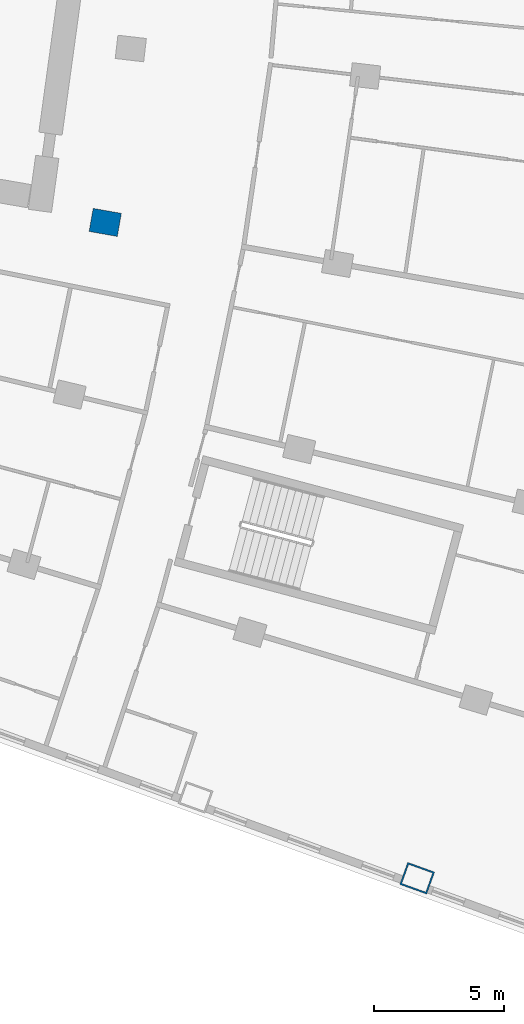
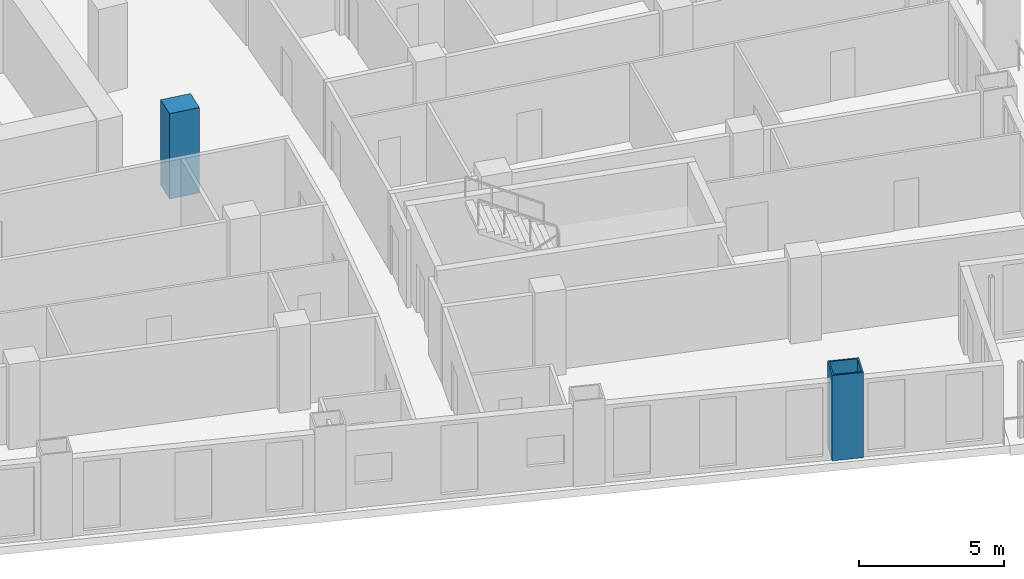
# One storey, part 4 of 25: 2 columns.
"""IFC4 building model written with IfcOpenShell, lengths in metres."""

from ifc_helpers import new_model, si_unit, direction, frame, origin, origin_2d, place, context, subcontext, project, spatial, rectangle, hollow_rectangle, extrude, material, material_profile, profile_set, type_object, element, save


model = new_model("IFC4")

# Units and contexts
model_context = context("Model", 3, precision=1e-05, world=origin(), true_north=direction((0.0, 1.0)))
body_context = subcontext(model_context, "Body", "Model", "MODEL_VIEW")
ifc_project = project(units=[si_unit("LENGTHUNIT", "METRE"), si_unit("AREAUNIT", "SQUARE_METRE"), si_unit("VOLUMEUNIT", "CUBIC_METRE"), si_unit("PLANEANGLEUNIT", "RADIAN"), si_unit("MASSUNIT", "GRAM", prefix="KILO")], contexts=[model_context])

# Site, building, storey
site_placement = place(None, origin())
site = spatial("IfcSite", under=ifc_project, at=site_placement, CompositionType="ELEMENT")
building_placement = place(site_placement, origin())
building = spatial("IfcBuilding", under=site, at=building_placement, Name="Alderwake Tower", CompositionType="ELEMENT")
storey_placement = place(building_placement, frame((0.0, 0.0, 46.39990234375)))
storey = spatial("IfcBuildingStorey", under=building, at=storey_placement, Name="L10", CompositionType="ELEMENT", Elevation=46.39990234375)

# Columns
ifc_material_1 = material(Name="Steel ASTM A572 Grade 50 concrete filled C70/85", Category="concrete")
ifc_material_profile_1 = material_profile(ifc_material_1, hollow_rectangle(XDim=0.89990234375, YDim=1.10009765625, WallThickness=0.06005859375, at=origin_2d()), Name="BOX 1100X900X60")
ifc_profile_set_1 = profile_set([ifc_material_profile_1], Name="Steel ASTM A572 Grade 50 concrete filled C70/85")
column_type_1 = type_object("IfcColumnType", Name="End column Z1", PredefinedType="COLUMN", material=ifc_profile_set_1)
column_1_placement = place(storey_placement, frame((46.017822265625, 15.638671875, 0.0), z_axis=(0.0, 0.0, 1.0), x_axis=(0.338687013201, 0.940899095062, 0.0)))
element("IfcColumn", 1, at=column_1_placement, inside=storey, type_object=column_type_1, Name="Column R01-C4", PredefinedType="COLUMN", context=body_context, shape_type="SweptSolid", body=[
    extrude(hollow_rectangle(XDim=0.89990234375, YDim=1.10009765625, WallThickness=0.06005859375, at=origin_2d()), origin(), (0.0, 0.0, 1.0), 3.60009765625),
])
ifc_material_2 = material(Name="Concrete C70/85", Category="concrete")
ifc_material_profile_2 = material_profile(ifc_material_2, rectangle(XDim=0.89990234375, YDim=1.10009765625, at=origin_2d()), Name="RC 1100X900")
ifc_profile_set_2 = profile_set([ifc_material_profile_2], Name="Concrete C70/85")
column_type_2 = type_object("IfcColumnType", Name="Interior column Z1", PredefinedType="COLUMN", material=ifc_profile_set_2)
column_2_placement = place(storey_placement, frame((34.03125, 40.83837890625, 0.0), z_axis=(0.0, 0.0, 1.0), x_axis=(0.174108800747, 0.984726421654, 0.0)))
element("IfcColumn", 2, at=column_2_placement, inside=storey, type_object=column_type_2, Name="Column R04-C2", PredefinedType="COLUMN", context=body_context, shape_type="SweptSolid", body=[
    extrude(rectangle(XDim=0.89990234375, YDim=1.10009765625, at=origin_2d()), origin(), (0.0, 0.0, 1.0), 3.60009765625),
])

save(model, "model.ifc")
